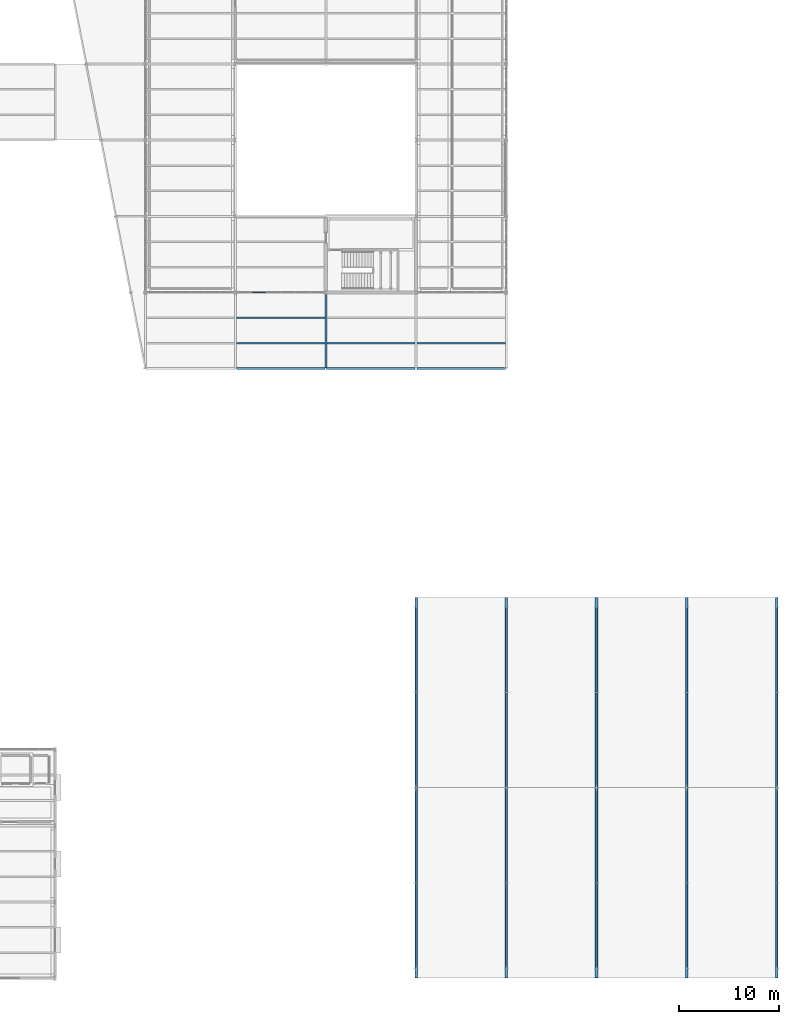
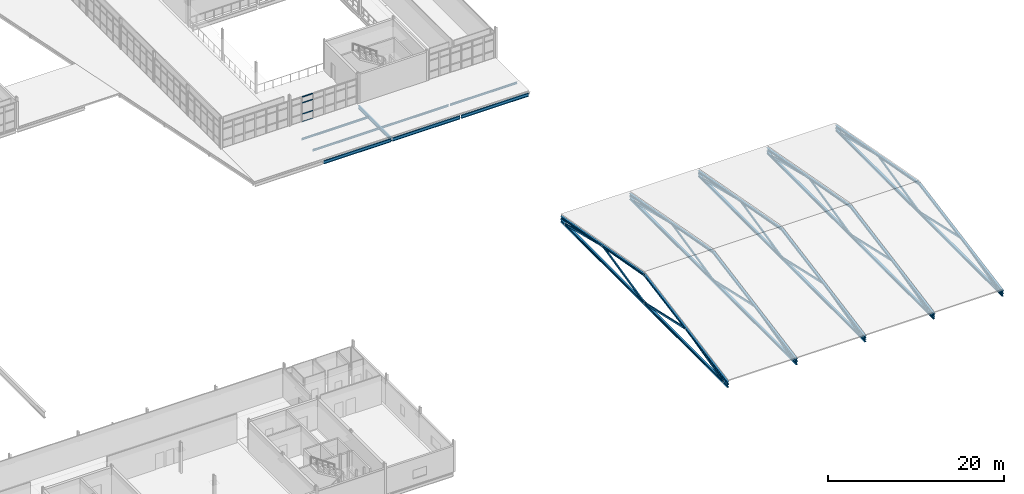
# One storey, part 55 of 96: 39 members, 8 beams, 1 element without a shape of its own.
"""IFC4 building model written with IfcOpenShell, lengths in metres."""

from ifc_helpers import new_model, si_unit, direction, frame, origin, origin_2d, place, context, subcontext, project, spatial, hollow_rectangle, i_section, extrude, material, material_profile, profile_set, type_object, element, aggregate, save


model = new_model("IFC4")

# Units and contexts
model_context = context("Model", 3, precision=1e-05, world=origin(), true_north=direction((0.0, 1.0)))
body_context = subcontext(model_context, "Body", "Model", "MODEL_VIEW")
ifc_project = project(units=[si_unit("LENGTHUNIT", "METRE"), si_unit("AREAUNIT", "SQUARE_METRE"), si_unit("VOLUMEUNIT", "CUBIC_METRE"), si_unit("PLANEANGLEUNIT", "RADIAN"), si_unit("MASSUNIT", "GRAM", prefix="KILO")], contexts=[model_context])

# Site, building, storey
site_placement = place(None, origin())
site = spatial("IfcSite", under=ifc_project, at=site_placement, CompositionType="ELEMENT")
building_placement = place(site_placement, origin())
building = spatial("IfcBuilding", under=site, at=building_placement, Name="Caisbarro Railhouse Central Library", CompositionType="ELEMENT")
storey_placement = place(building_placement, frame((0.0, 0.0, 13.679931640625)))
storey = spatial("IfcBuildingStorey", under=building, at=storey_placement, Name="L03", CompositionType="ELEMENT", Elevation=13.679931640625)

# Beams
ifc_material_1 = material(Name="Steel ASTM A572 Grade 50", Category="steel")
ifc_material_profile_1 = material_profile(ifc_material_1, i_section(OverallWidth=0.18994140625, OverallDepth=0.45703125, WebThickness=0.009033203125, FlangeThickness=0.014404296875, FilletRadius=0.01806640625, at=origin_2d()), Name="W460X74.0")
ifc_profile_set_1 = profile_set([ifc_material_profile_1], Name="Steel ASTM A572 Grade 50")
beam_type_1 = type_object("IfcBeamType", Name="BM-G08", PredefinedType="BEAM", material=ifc_profile_set_1)
beam_1_placement = place(storey_placement, frame((135.0, 60.8798828125, -0.408447265625), z_axis=(0.0, 1.0, 0.0), x_axis=(-1.0, 0.0, 0.0)))
element("IfcBeam", 1, at=beam_1_placement, inside=storey, type_object=beam_type_1, Name="G08 beam L03 #2413", PredefinedType="BEAM", context=body_context, shape_type="SweptSolid", body=[
    extrude(i_section(OverallWidth=0.18994140625, OverallDepth=0.45703125, WebThickness=0.009033203125, FlangeThickness=0.014404296875, FilletRadius=0.01806640625, at=origin_2d()), origin(), (0.0, 0.0, 1.0), 7.440185546875),
])
ifc_material_profile_2 = material_profile(ifc_material_1, i_section(OverallWidth=0.14794921875, OverallDepth=0.26611328125, WebThickness=0.007568359375, FlangeThickness=0.012939453125, FilletRadius=0.010009765625, at=origin_2d()), Name="W250X44.8")
ifc_profile_set_2 = profile_set([ifc_material_profile_2], Name="Steel ASTM A572 Grade 50")
beam_type_2 = type_object("IfcBeamType", Name="BM-J04", PredefinedType="JOIST", material=ifc_profile_set_2)
for number, where, z_axis, x_axis, name in (
    (2, (126.094970703125, 63.333251953125, -0.31298828125), (1.0, 0.0, 0.0), (0.0, 1.0, 0.0), "J04 beam L03 #2418"),
    (3, (126.094970703125, 65.86669921875, -0.31298828125), (1.0, 0.0, 0.0), (0.0, 1.0, 0.0), "J04 beam L03 #2419"),
    (4, (135.094970703125, 63.333251953125, -0.31298828125), (1.0, 0.0, 0.0), (0.0, 1.0, 0.0), "J04 beam L03 #2420"),
):
    element("IfcBeam", number, at=place(storey_placement, frame(where, z_axis=z_axis, x_axis=x_axis)), inside=storey, type_object=beam_type_2, Name=name, PredefinedType="JOIST", context=body_context, shape_type="SweptSolid", body=[
        extrude(i_section(OverallWidth=0.14794921875, OverallDepth=0.26611328125, WebThickness=0.007568359375, FlangeThickness=0.012939453125, FilletRadius=0.010009765625, at=origin_2d()), origin(), (0.0, 0.0, 1.0), 8.81005859375),
    ])
beam_2_placement = place(storey_placement, frame((144.094970703125, 63.333251953125, -0.31298828125), z_axis=(1.0, 0.0, 0.0), x_axis=(0.0, 1.0, 0.0)))
element("IfcBeam", 5, at=beam_2_placement, inside=storey, type_object=beam_type_2, Name="J04 beam L03 #2422", PredefinedType="JOIST", context=body_context, shape_type="SweptSolid", body=[
    extrude(i_section(OverallWidth=0.14794921875, OverallDepth=0.26611328125, WebThickness=0.007568359375, FlangeThickness=0.012939453125, FilletRadius=0.010009765625, at=origin_2d()), origin(), (0.0, 0.0, 1.0), 8.804931640625),
])
ifc_material_profile_3 = material_profile(ifc_material_1, i_section(OverallWidth=0.18994140625, OverallDepth=0.45703125, WebThickness=0.009033203125, FlangeThickness=0.014404296875, FilletRadius=0.01806640625, at=origin_2d()), Name="W460X74.0")
ifc_profile_set_3 = profile_set([ifc_material_profile_3], Name="Steel ASTM A572 Grade 50")
beam_type_3 = type_object("IfcBeamType", Name="BM-SP01", PredefinedType="SPANDREL", material=ifc_profile_set_3)
for number, where, z_axis, x_axis, name in (
    (6, (126.080078125, 60.800048828125, -0.408447265625), (1.0, 0.0, 0.0), (0.0, 1.0, 0.0), "SP01 beam L03 #2408"),
    (7, (135.080078125, 60.800048828125, -0.408447265625), (1.0, 0.0, 0.0), (0.0, 1.0, 0.0), "SP01 beam L03 #2409"),
    (8, (144.080078125, 60.800048828125, -0.408447265625), (1.0, 0.0, 0.0), (0.0, 1.0, 0.0), "SP01 beam L03 #2410"),
):
    element("IfcBeam", number, at=place(storey_placement, frame(where, z_axis=z_axis, x_axis=x_axis)), inside=storey, type_object=beam_type_3, Name=name, PredefinedType="SPANDREL", context=body_context, shape_type="SweptSolid", body=[
        extrude(i_section(OverallWidth=0.18994140625, OverallDepth=0.45703125, WebThickness=0.009033203125, FlangeThickness=0.014404296875, FilletRadius=0.01806640625, at=origin_2d()), origin(), (0.0, 0.0, 1.0), 8.83984375),
    ])

# Curtain wall, members
ifc_material_2 = material(Name="Anodised architectural aluminium", Category="aluminium")
curtain_wall_type = type_object("IfcCurtainWallType", Name="CW-CW02", PredefinedType="NOTDEFINED", material=ifc_material_2)
curtain_wall_placement = place(storey_placement, origin())
curtain_wall = element("IfcCurtainWall", 9, at=curtain_wall_placement, inside=storey, type_object=curtain_wall_type, Name="CW02 curtain wall L03 #149", PredefinedType="NOTDEFINED")
ifc_material_profile_4 = material_profile(ifc_material_2, hollow_rectangle(XDim=0.074951171875, YDim=0.139892578125, WallThickness=0.00390625, at=origin_2d()), Name="ALU-TRN-75X140")
ifc_profile_set_4 = profile_set([ifc_material_profile_4], Name="Anodised architectural aluminium")
member_type_1 = type_object("IfcMemberType", Name="CWT-T01", PredefinedType="USERDEFINED", material=ifc_profile_set_4)
member_1_placement = place(storey_placement, frame((127.644287109375, 68.39990234375, 0.03759765625), z_axis=(1.0, 0.0, 0.0), x_axis=(0.0, 1.0, 0.0)))
member_1 = element("IfcMember", 10, at=member_1_placement, type_object=member_type_1, Name="CW02 transom 2.1", ObjectType="TRANSOM", PredefinedType="USERDEFINED", context=body_context, shape_type="SweptSolid", body=[
    extrude(hollow_rectangle(XDim=0.074951171875, YDim=0.139892578125, WallThickness=0.00390625, at=origin_2d()), origin(), (0.0, 0.0, 1.0), 1.37158203125),
])
member_2_placement = place(storey_placement, frame((127.644287109375, 68.39990234375, 1.1201171875), z_axis=(1.0, 0.0, 0.0), x_axis=(0.0, 1.0, 0.0)))
member_2 = element("IfcMember", 11, at=member_2_placement, type_object=member_type_1, Name="CW02 transom 2.2", ObjectType="TRANSOM", PredefinedType="USERDEFINED", context=body_context, shape_type="SweptSolid", body=[
    extrude(hollow_rectangle(XDim=0.074951171875, YDim=0.139892578125, WallThickness=0.00390625, at=origin_2d()), origin(), (0.0, 0.0, 1.0), 1.37158203125),
])
member_3_placement = place(storey_placement, frame((127.644287109375, 68.39990234375, 2.66015625), z_axis=(1.0, 0.0, 0.0), x_axis=(0.0, 1.0, 0.0)))
member_3 = element("IfcMember", 12, at=member_3_placement, type_object=member_type_1, Name="CW02 transom 2.3", ObjectType="TRANSOM", PredefinedType="USERDEFINED", context=body_context, shape_type="SweptSolid", body=[
    extrude(hollow_rectangle(XDim=0.074951171875, YDim=0.139892578125, WallThickness=0.00390625, at=origin_2d()), origin(), (0.0, 0.0, 1.0), 1.37158203125),
])
member_4_placement = place(storey_placement, frame((127.644287109375, 68.39990234375, 3.47265625), z_axis=(1.0, 0.0, 0.0), x_axis=(0.0, 1.0, 0.0)))
member_4 = element("IfcMember", 13, at=member_4_placement, type_object=member_type_1, Name="CW02 transom 2.4", ObjectType="TRANSOM", PredefinedType="USERDEFINED", context=body_context, shape_type="SweptSolid", body=[
    extrude(hollow_rectangle(XDim=0.074951171875, YDim=0.139892578125, WallThickness=0.00390625, at=origin_2d()), origin(), (0.0, 0.0, 1.0), 1.37158203125),
])
aggregate(curtain_wall, [member_1, member_2, member_3, member_4])

# Members
ifc_material_profile_5 = material_profile(ifc_material_1, i_section(OverallWidth=0.257080078125, OverallDepth=0.363037109375, WebThickness=0.012939453125, FlangeThickness=0.021728515625, FilletRadius=0.014892578125, at=origin_2d()), Name="W360X122.0")
ifc_profile_set_5 = profile_set([ifc_material_profile_5], Name="Steel ASTM A572 Grade 50")
member_type_2 = type_object("IfcMemberType", Name="MEM-TC01", PredefinedType="CHORD", material=ifc_profile_set_5)
for number, where, z_axis, x_axis, name in (
    (14, (144.0, 0.06005859375, -0.8798828125), (0.0, 1.0, 0.0), (-1.0, 0.0, 0.0), "V3 Auditorium Truss Bottom Chord X=144"),
    (15, (153.0, 0.06005859375, -0.8798828125), (0.0, 1.0, 0.0), (-1.0, 0.0, 0.0), "V3 Auditorium Truss Bottom Chord X=153"),
    (16, (162.0, 0.06005859375, -0.8798828125), (0.0, 1.0, 0.0), (-1.0, 0.0, 0.0), "V3 Auditorium Truss Bottom Chord X=162"),
    (17, (171.0, 0.06005859375, -0.8798828125), (0.0, 1.0, 0.0), (-1.0, 0.0, 0.0), "V3 Auditorium Truss Bottom Chord X=171"),
    (18, (180.0, 0.06005859375, -0.8798828125), (0.0, 1.0, 0.0), (-1.0, 0.0, 0.0), "V3 Auditorium Truss Bottom Chord X=180"),
):
    element("IfcMember", number, at=place(storey_placement, frame(where, z_axis=z_axis, x_axis=x_axis)), inside=storey, type_object=member_type_2, Name=name, PredefinedType="CHORD", context=body_context, shape_type="SweptSolid", body=[
        extrude(i_section(OverallWidth=0.257080078125, OverallDepth=0.363037109375, WebThickness=0.012939453125, FlangeThickness=0.021728515625, FilletRadius=0.014892578125, at=origin_2d()), origin(), (0.0, 0.0, 1.0), 37.8798828125),
    ])
ifc_material_profile_6 = material_profile(ifc_material_1, i_section(OverallWidth=0.25390625, OverallDepth=0.305908203125, WebThickness=0.0087890625, FlangeThickness=0.0146484375, FilletRadius=0.014892578125, at=origin_2d()), Name="W310X79.0")
ifc_profile_set_6 = profile_set([ifc_material_profile_6], Name="Steel ASTM A572 Grade 50")
member_type_3 = type_object("IfcMemberType", Name="MEM-TC02", PredefinedType="CHORD", material=ifc_profile_set_6)
for number, where, z_axis, x_axis, name in (
    (19, (144.0, 0.06005859375, -0.39990234375), (0.0, 0.983628215007, 0.180209696304), (-1.0, 0.0, 0.0), "V3 Auditorium Truss Top Chord South X=144"),
    (20, (144.0, 19.0, 3.070068359375), (0.0, 0.983628215007, -0.180209696304), (-1.0, 0.0, 0.0), "V3 Auditorium Truss Top Chord North X=144"),
    (21, (153.0, 0.06005859375, -0.39990234375), (0.0, 0.983628215007, 0.180209696304), (-1.0, 0.0, 0.0), "V3 Auditorium Truss Top Chord South X=153"),
    (22, (153.0, 19.0, 3.070068359375), (0.0, 0.983628215007, -0.180209696304), (-1.0, 0.0, 0.0), "V3 Auditorium Truss Top Chord North X=153"),
    (23, (162.0, 0.06005859375, -0.39990234375), (0.0, 0.983628215007, 0.180209696304), (-1.0, 0.0, 0.0), "V3 Auditorium Truss Top Chord South X=162"),
    (24, (162.0, 19.0, 3.070068359375), (0.0, 0.983628215007, -0.180209696304), (-1.0, 0.0, 0.0), "V3 Auditorium Truss Top Chord North X=162"),
    (25, (171.0, 0.06005859375, -0.39990234375), (0.0, 0.983628215007, 0.180209696304), (-1.0, 0.0, 0.0), "V3 Auditorium Truss Top Chord South X=171"),
    (26, (171.0, 19.0, 3.070068359375), (0.0, 0.983628215007, -0.180209696304), (-1.0, 0.0, 0.0), "V3 Auditorium Truss Top Chord North X=171"),
    (27, (180.0, 0.06005859375, -0.39990234375), (0.0, 0.983628215007, 0.180209696304), (-1.0, 0.0, 0.0), "V3 Auditorium Truss Top Chord South X=180"),
    (28, (180.0, 19.0, 3.070068359375), (0.0, 0.983628215007, -0.180209696304), (-1.0, 0.0, 0.0), "V3 Auditorium Truss Top Chord North X=180"),
):
    element("IfcMember", number, at=place(storey_placement, frame(where, z_axis=z_axis, x_axis=x_axis)), inside=storey, type_object=member_type_3, Name=name, PredefinedType="CHORD", context=body_context, shape_type="SweptSolid", body=[
        extrude(i_section(OverallWidth=0.25390625, OverallDepth=0.305908203125, WebThickness=0.0087890625, FlangeThickness=0.0146484375, FilletRadius=0.014892578125, at=origin_2d()), origin(), (0.0, 0.0, 1.0), 19.255126953125),
    ])
ifc_material_profile_7 = material_profile(ifc_material_1, hollow_rectangle(XDim=0.14990234375, YDim=0.25, WallThickness=0.010009765625, at=origin_2d()), Name="HSS250X150X10")
ifc_profile_set_7 = profile_set([ifc_material_profile_7], Name="Steel ASTM A572 Grade 50")
member_type_4 = type_object("IfcMemberType", Name="MEM-TW01", PredefinedType="STRUT", material=ifc_profile_set_7)
member_5_placement = place(storey_placement, frame((144.0, 1.0, -0.829833984375), z_axis=(0.0, 0.970011247443, 0.243060033395), x_axis=(-1.0, 0.0, 0.0)))
element("IfcMember", 29, at=member_5_placement, inside=storey, type_object=member_type_4, Name="V3 Auditorium Truss Web 1", PredefinedType="STRUT", context=body_context, shape_type="SweptSolid", body=[
    extrude(hollow_rectangle(XDim=0.14990234375, YDim=0.25, WallThickness=0.010009765625, at=origin_2d()), origin(), (0.0, 0.0, 1.0), 8.7626953125),
])
for number, where, z_axis, x_axis, name in (
    (30, (144.0, 9.5, 1.300048828125), (0.0, 0.97577702651, -0.218767443957), (-1.0, 0.0, 0.0), "V3 Auditorium Truss Web 2"),
    (31, (144.0, 19.0, -0.829833984375), (0.0, 0.97577702651, 0.218767443957), (-1.0, 0.0, 0.0), "V3 Auditorium Truss Web 3"),
):
    element("IfcMember", number, at=place(storey_placement, frame(where, z_axis=z_axis, x_axis=x_axis)), inside=storey, type_object=member_type_4, Name=name, PredefinedType="STRUT", context=body_context, shape_type="SweptSolid", body=[
        extrude(hollow_rectangle(XDim=0.14990234375, YDim=0.25, WallThickness=0.010009765625, at=origin_2d()), origin(), (0.0, 0.0, 1.0), 9.73583984375),
    ])
for number, where, z_axis, x_axis, name in (
    (32, (144.0, 28.5, 1.300048828125), (0.0, 0.970011247443, -0.243060033395), (-1.0, 0.0, 0.0), "V3 Auditorium Truss Web 4"),
    (33, (153.0, 1.0, -0.829833984375), (0.0, 0.970011247443, 0.243060033395), (-1.0, 0.0, 0.0), "V3 Auditorium Truss Web 5"),
):
    element("IfcMember", number, at=place(storey_placement, frame(where, z_axis=z_axis, x_axis=x_axis)), inside=storey, type_object=member_type_4, Name=name, PredefinedType="STRUT", context=body_context, shape_type="SweptSolid", body=[
        extrude(hollow_rectangle(XDim=0.14990234375, YDim=0.25, WallThickness=0.010009765625, at=origin_2d()), origin(), (0.0, 0.0, 1.0), 8.7626953125),
    ])
for number, where, z_axis, x_axis, name in (
    (34, (153.0, 9.5, 1.300048828125), (0.0, 0.97577702651, -0.218767443957), (-1.0, 0.0, 0.0), "V3 Auditorium Truss Web 6"),
    (35, (153.0, 19.0, -0.829833984375), (0.0, 0.97577702651, 0.218767443957), (-1.0, 0.0, 0.0), "V3 Auditorium Truss Web 7"),
):
    element("IfcMember", number, at=place(storey_placement, frame(where, z_axis=z_axis, x_axis=x_axis)), inside=storey, type_object=member_type_4, Name=name, PredefinedType="STRUT", context=body_context, shape_type="SweptSolid", body=[
        extrude(hollow_rectangle(XDim=0.14990234375, YDim=0.25, WallThickness=0.010009765625, at=origin_2d()), origin(), (0.0, 0.0, 1.0), 9.73583984375),
    ])
for number, where, z_axis, x_axis, name in (
    (36, (153.0, 28.5, 1.300048828125), (0.0, 0.970011247443, -0.243060033395), (-1.0, 0.0, 0.0), "V3 Auditorium Truss Web 8"),
    (37, (162.0, 1.0, -0.829833984375), (0.0, 0.970011247443, 0.243060033395), (-1.0, 0.0, 0.0), "V3 Auditorium Truss Web 9"),
):
    element("IfcMember", number, at=place(storey_placement, frame(where, z_axis=z_axis, x_axis=x_axis)), inside=storey, type_object=member_type_4, Name=name, PredefinedType="STRUT", context=body_context, shape_type="SweptSolid", body=[
        extrude(hollow_rectangle(XDim=0.14990234375, YDim=0.25, WallThickness=0.010009765625, at=origin_2d()), origin(), (0.0, 0.0, 1.0), 8.7626953125),
    ])
for number, where, z_axis, x_axis, name in (
    (38, (162.0, 9.5, 1.300048828125), (0.0, 0.97577702651, -0.218767443957), (-1.0, 0.0, 0.0), "V3 Auditorium Truss Web 10"),
    (39, (162.0, 19.0, -0.829833984375), (0.0, 0.97577702651, 0.218767443957), (-1.0, 0.0, 0.0), "V3 Auditorium Truss Web 11"),
):
    element("IfcMember", number, at=place(storey_placement, frame(where, z_axis=z_axis, x_axis=x_axis)), inside=storey, type_object=member_type_4, Name=name, PredefinedType="STRUT", context=body_context, shape_type="SweptSolid", body=[
        extrude(hollow_rectangle(XDim=0.14990234375, YDim=0.25, WallThickness=0.010009765625, at=origin_2d()), origin(), (0.0, 0.0, 1.0), 9.73583984375),
    ])
for number, where, z_axis, x_axis, name in (
    (40, (162.0, 28.5, 1.300048828125), (0.0, 0.970011247443, -0.243060033395), (-1.0, 0.0, 0.0), "V3 Auditorium Truss Web 12"),
    (41, (171.0, 1.0, -0.829833984375), (0.0, 0.970011247443, 0.243060033395), (-1.0, 0.0, 0.0), "V3 Auditorium Truss Web 13"),
):
    element("IfcMember", number, at=place(storey_placement, frame(where, z_axis=z_axis, x_axis=x_axis)), inside=storey, type_object=member_type_4, Name=name, PredefinedType="STRUT", context=body_context, shape_type="SweptSolid", body=[
        extrude(hollow_rectangle(XDim=0.14990234375, YDim=0.25, WallThickness=0.010009765625, at=origin_2d()), origin(), (0.0, 0.0, 1.0), 8.7626953125),
    ])
for number, where, z_axis, x_axis, name in (
    (42, (171.0, 9.5, 1.300048828125), (0.0, 0.97577702651, -0.218767443957), (-1.0, 0.0, 0.0), "V3 Auditorium Truss Web 14"),
    (43, (171.0, 19.0, -0.829833984375), (0.0, 0.97577702651, 0.218767443957), (-1.0, 0.0, 0.0), "V3 Auditorium Truss Web 15"),
):
    element("IfcMember", number, at=place(storey_placement, frame(where, z_axis=z_axis, x_axis=x_axis)), inside=storey, type_object=member_type_4, Name=name, PredefinedType="STRUT", context=body_context, shape_type="SweptSolid", body=[
        extrude(hollow_rectangle(XDim=0.14990234375, YDim=0.25, WallThickness=0.010009765625, at=origin_2d()), origin(), (0.0, 0.0, 1.0), 9.73583984375),
    ])
for number, where, z_axis, x_axis, name in (
    (44, (171.0, 28.5, 1.300048828125), (0.0, 0.970011247443, -0.243060033395), (-1.0, 0.0, 0.0), "V3 Auditorium Truss Web 16"),
    (45, (180.0, 1.0, -0.829833984375), (0.0, 0.970011247443, 0.243060033395), (-1.0, 0.0, 0.0), "V3 Auditorium Truss Web 17"),
):
    element("IfcMember", number, at=place(storey_placement, frame(where, z_axis=z_axis, x_axis=x_axis)), inside=storey, type_object=member_type_4, Name=name, PredefinedType="STRUT", context=body_context, shape_type="SweptSolid", body=[
        extrude(hollow_rectangle(XDim=0.14990234375, YDim=0.25, WallThickness=0.010009765625, at=origin_2d()), origin(), (0.0, 0.0, 1.0), 8.7626953125),
    ])
for number, where, z_axis, x_axis, name in (
    (46, (180.0, 9.5, 1.300048828125), (0.0, 0.97577702651, -0.218767443957), (-1.0, 0.0, 0.0), "V3 Auditorium Truss Web 18"),
    (47, (180.0, 19.0, -0.829833984375), (0.0, 0.97577702651, 0.218767443957), (-1.0, 0.0, 0.0), "V3 Auditorium Truss Web 19"),
):
    element("IfcMember", number, at=place(storey_placement, frame(where, z_axis=z_axis, x_axis=x_axis)), inside=storey, type_object=member_type_4, Name=name, PredefinedType="STRUT", context=body_context, shape_type="SweptSolid", body=[
        extrude(hollow_rectangle(XDim=0.14990234375, YDim=0.25, WallThickness=0.010009765625, at=origin_2d()), origin(), (0.0, 0.0, 1.0), 9.73583984375),
    ])
member_6_placement = place(storey_placement, frame((180.0, 28.5, 1.300048828125), z_axis=(0.0, 0.970011247443, -0.243060033395), x_axis=(-1.0, 0.0, 0.0)))
element("IfcMember", 48, at=member_6_placement, inside=storey, type_object=member_type_4, Name="V3 Auditorium Truss Web 20", PredefinedType="STRUT", context=body_context, shape_type="SweptSolid", body=[
    extrude(hollow_rectangle(XDim=0.14990234375, YDim=0.25, WallThickness=0.010009765625, at=origin_2d()), origin(), (0.0, 0.0, 1.0), 8.7626953125),
])

save(model, "model.ifc")
